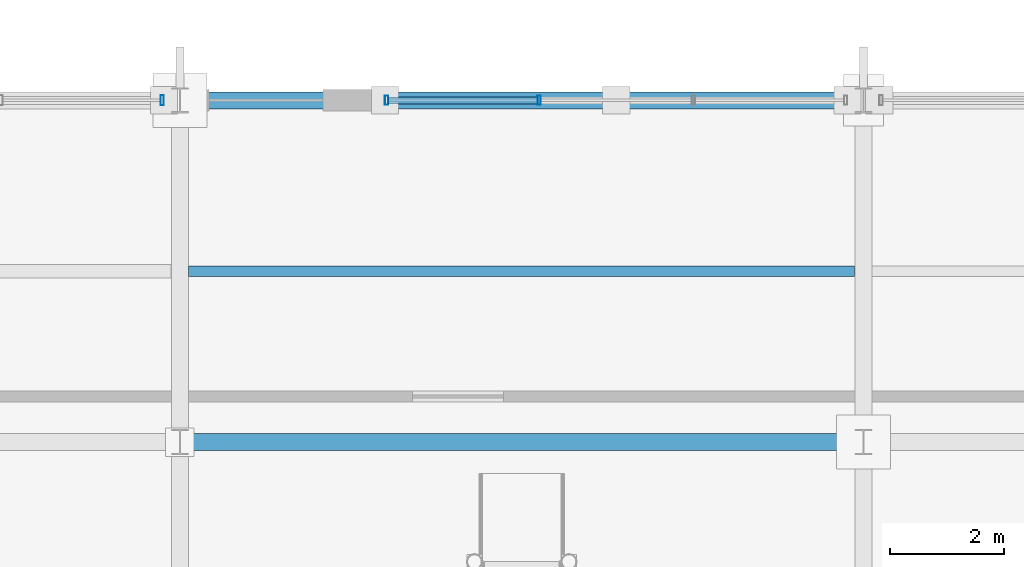
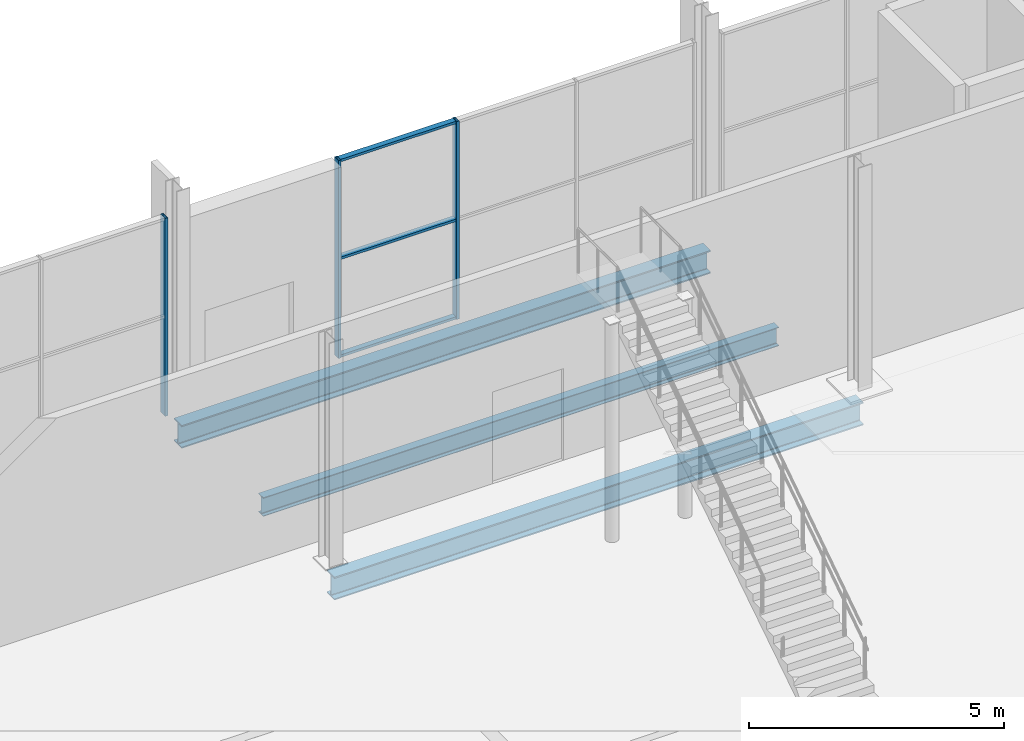
# One storey, part 79 of 196: 6 members, 3 beams, 2 elements without a shape of their own.
"""IFC4 building model written with IfcOpenShell, lengths in metres."""

from ifc_helpers import new_model, si_unit, direction, frame, origin, origin_2d, place, context, subcontext, project, spatial, hollow_rectangle, i_section, extrude, material, material_profile, profile_set, type_object, element, aggregate, save


model = new_model("IFC4")

# Units and contexts
model_context = context("Model", 3, precision=1e-05, world=origin(), true_north=direction((0.0, 1.0)))
body_context = subcontext(model_context, "Body", "Model", "MODEL_VIEW")
ifc_project = project(units=[si_unit("LENGTHUNIT", "METRE"), si_unit("AREAUNIT", "SQUARE_METRE"), si_unit("VOLUMEUNIT", "CUBIC_METRE"), si_unit("PLANEANGLEUNIT", "RADIAN"), si_unit("MASSUNIT", "GRAM", prefix="KILO")], contexts=[model_context])

# Site, building, storey
site_placement = place(None, origin())
site = spatial("IfcSite", under=ifc_project, at=site_placement, CompositionType="ELEMENT")
building_placement = place(site_placement, origin())
building = spatial("IfcBuilding", under=site, at=building_placement, Name="Merenkruunu Market Hall", CompositionType="ELEMENT")
storey_placement = place(building_placement, origin())
storey = spatial("IfcBuildingStorey", under=building, at=storey_placement, Name="L00", CompositionType="ELEMENT", Elevation=0.0)

# Curtain wall, members
ifc_material_1 = material(Name="Powder-coated aluminium", Category="aluminium")
curtain_wall_type_1 = type_object("IfcCurtainWallType", Name="Glazed Curtain Wall CW06", PredefinedType="USERDEFINED", material=ifc_material_1)
curtain_wall_1_placement = place(storey_placement, origin())
curtain_wall_1 = element("IfcCurtainWall", 1, at=curtain_wall_1_placement, inside=storey, type_object=curtain_wall_type_1, Name="CW-L00-CWM01-184", ObjectType="GLAZED_FACADE", PredefinedType="USERDEFINED")
ifc_material_profile_1 = material_profile(ifc_material_1, hollow_rectangle(XDim=0.06005859375, YDim=0.159912109375, WallThickness=0.00390625, at=origin_2d()), Name="ALU 60x160x4")
ifc_profile_set_1 = profile_set([ifc_material_profile_1], Name="Powder-coated aluminium")
member_type_1 = type_object("IfcMemberType", Name="Curtain Wall Mullion CWM01", PredefinedType="MULLION", material=ifc_profile_set_1)
member_1_placement = place(storey_placement, frame((92.429931640625, 45.60009765625, 0.0), z_axis=(0.0, 0.0, 1.0), x_axis=(1.0, 0.0, 0.0)))
member_1 = element("IfcMember", 2, at=member_1_placement, type_object=member_type_1, Name="CW06 mullion 1", PredefinedType="MULLION", context=body_context, shape_type="SweptSolid", body=[
    extrude(hollow_rectangle(XDim=0.06005859375, YDim=0.159912109375, WallThickness=0.00390625, at=origin_2d()), origin(), (0.0, 0.0, 1.0), 4.75),
])
member_2_placement = place(storey_placement, frame((95.106689453125, 45.60009765625, 0.0), z_axis=(0.0, 0.0, 1.0), x_axis=(1.0, 0.0, 0.0)))
member_2 = element("IfcMember", 3, at=member_2_placement, type_object=member_type_1, Name="CW06 mullion 2", PredefinedType="MULLION", context=body_context, shape_type="SweptSolid", body=[
    extrude(hollow_rectangle(XDim=0.06005859375, YDim=0.159912109375, WallThickness=0.00390625, at=origin_2d()), origin(), (0.0, 0.0, 1.0), 4.75),
])

# Curtain wall, member
curtain_wall_type_2 = type_object("IfcCurtainWallType", Name="Glazed Curtain Wall CW04", PredefinedType="USERDEFINED", material=ifc_material_1)
curtain_wall_2_placement = place(storey_placement, origin())
curtain_wall_2 = element("IfcCurtainWall", 4, at=curtain_wall_2_placement, inside=storey, type_object=curtain_wall_type_2, Name="CW-L00-CWM02-182", ObjectType="GLAZED_FACADE", PredefinedType="USERDEFINED")
ifc_material_profile_2 = material_profile(ifc_material_1, hollow_rectangle(XDim=0.06005859375, YDim=0.179931640625, WallThickness=0.00390625, at=origin_2d()), Name="ALU 60x180x4")
ifc_profile_set_2 = profile_set([ifc_material_profile_2], Name="Powder-coated aluminium")
member_type_2 = type_object("IfcMemberType", Name="Curtain Wall Mullion CWM02", PredefinedType="MULLION", material=ifc_profile_set_2)
member_3_placement = place(storey_placement, frame((88.489990234375, 45.60009765625, 0.0), z_axis=(0.0, 0.0, 1.0), x_axis=(1.0, 0.0, 0.0)))
member_3 = element("IfcMember", 5, at=member_3_placement, type_object=member_type_2, Name="CW04 mullion 5", PredefinedType="MULLION", context=body_context, shape_type="SweptSolid", body=[
    extrude(hollow_rectangle(XDim=0.06005859375, YDim=0.179931640625, WallThickness=0.00390625, at=origin_2d()), origin(), (0.0, 0.0, 1.0), 4.75),
])
aggregate(curtain_wall_2, [member_3])

# Member
ifc_material_profile_3 = material_profile(ifc_material_1, hollow_rectangle(XDim=0.06005859375, YDim=0.125, WallThickness=0.00390625, at=origin_2d()), Name="ALU 60x125x4")
ifc_profile_set_3 = profile_set([ifc_material_profile_3], Name="Powder-coated aluminium")
member_type_3 = type_object("IfcMemberType", Name="Curtain Wall Transom CWT01", PredefinedType="USERDEFINED", material=ifc_profile_set_3)
member_4_placement = place(storey_placement, frame((92.4599609375, 45.60009765625, 0.030029296875), z_axis=(1.0, 0.0, 0.0), x_axis=(0.0, 0.0, 1.0)))
member_4 = element("IfcMember", 6, at=member_4_placement, type_object=member_type_3, Name="CW06 transom 1.1", ObjectType="TRANSOM", PredefinedType="USERDEFINED", context=body_context, shape_type="SweptSolid", body=[
    extrude(hollow_rectangle(XDim=0.06005859375, YDim=0.125, WallThickness=0.00390625, at=origin_2d()), origin(), (0.0, 0.0, 1.0), 2.61669921875),
])

member_5_placement = place(storey_placement, frame((92.4599609375, 45.60009765625, 2.375), z_axis=(1.0, 0.0, 0.0), x_axis=(0.0, 0.0, 1.0)))
member_5 = element("IfcMember", 7, at=member_5_placement, type_object=member_type_3, Name="CW06 transom 1.2", ObjectType="TRANSOM", PredefinedType="USERDEFINED", context=body_context, shape_type="SweptSolid", body=[
    extrude(hollow_rectangle(XDim=0.06005859375, YDim=0.125, WallThickness=0.00390625, at=origin_2d()), origin(), (0.0, 0.0, 1.0), 2.61669921875),
])

member_6_placement = place(storey_placement, frame((92.4599609375, 45.60009765625, 4.719970703125), z_axis=(1.0, 0.0, 0.0), x_axis=(0.0, 0.0, 1.0)))
member_6 = element("IfcMember", 8, at=member_6_placement, type_object=member_type_3, Name="CW06 transom 1.3", ObjectType="TRANSOM", PredefinedType="USERDEFINED", context=body_context, shape_type="SweptSolid", body=[
    extrude(hollow_rectangle(XDim=0.06005859375, YDim=0.125, WallThickness=0.00390625, at=origin_2d()), origin(), (0.0, 0.0, 1.0), 2.61669921875),
])

aggregate(curtain_wall_1, [member_1, member_2, member_4, member_5, member_6])

# Beams
ifc_material_2 = material(Name="Steel S355J2", Category="steel")
ifc_material_profile_4 = material_profile(ifc_material_2, i_section(OverallWidth=0.300048828125, OverallDepth=0.550048828125, WebThickness=0.014892578125, FlangeThickness=0.029052734375, FilletRadius=0.027099609375, at=origin_2d()), Name="HEB 550")
ifc_profile_set_4 = profile_set([ifc_material_profile_4], Name="Steel S355J2")
beam_type_1 = type_object("IfcBeamType", Name="Primary Floor Girder B02", PredefinedType="BEAM", material=ifc_profile_set_4)
for number, where, z_axis, x_axis, name in (
    (9, (88.800048828125, 39.60009765625, -0.574951171875), (1.0, 0.0, 0.0), (0.0, 1.0, 0.0), "BM-L00-B02-0054"),
    (10, (88.800048828125, 45.60009765625, -0.574951171875), (1.0, 0.0, 0.0), (0.0, 1.0, 0.0), "BM-L00-B02-0072"),
):
    element("IfcBeam", number, at=place(storey_placement, frame(where, z_axis=z_axis, x_axis=x_axis)), inside=storey, type_object=beam_type_1, Name=name, PredefinedType="BEAM", context=body_context, shape_type="SweptSolid", body=[
        extrude(i_section(OverallWidth=0.300048828125, OverallDepth=0.550048828125, WebThickness=0.014892578125, FlangeThickness=0.029052734375, FilletRadius=0.027099609375, at=origin_2d()), origin(), (0.0, 0.0, 1.0), 12.0),
    ])
ifc_material_profile_5 = material_profile(ifc_material_2, i_section(OverallWidth=0.18994140625, OverallDepth=0.449951171875, WebThickness=0.009521484375, FlangeThickness=0.0146484375, FilletRadius=0.02099609375, at=origin_2d()), Name="IPE 450")
ifc_profile_set_5 = profile_set([ifc_material_profile_5], Name="Steel S355J2")
beam_type_2 = type_object("IfcBeamType", Name="Secondary Floor Joist J01", PredefinedType="JOIST", material=ifc_profile_set_5)
beam_placement = place(storey_placement, frame((88.952880859375, 42.60009765625, -0.52490234375), z_axis=(1.0, 0.0, 0.0), x_axis=(0.0, 1.0, 0.0)))
element("IfcBeam", 11, at=beam_placement, inside=storey, type_object=beam_type_2, Name="BM-L00-J01-0380", PredefinedType="JOIST", context=body_context, shape_type="SweptSolid", body=[
    extrude(i_section(OverallWidth=0.18994140625, OverallDepth=0.449951171875, WebThickness=0.009521484375, FlangeThickness=0.0146484375, FilletRadius=0.02099609375, at=origin_2d()), origin(), (0.0, 0.0, 1.0), 11.694091796875),
])

save(model, "model.ifc")
